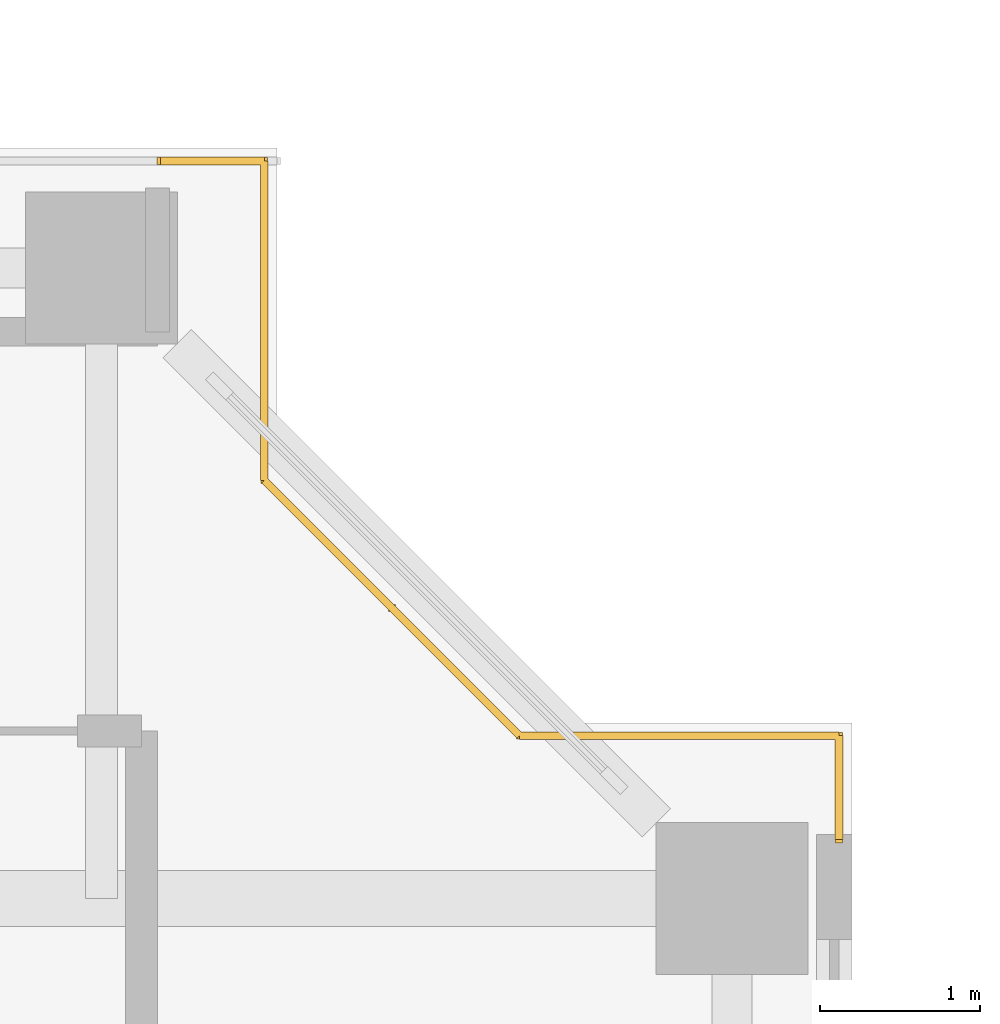
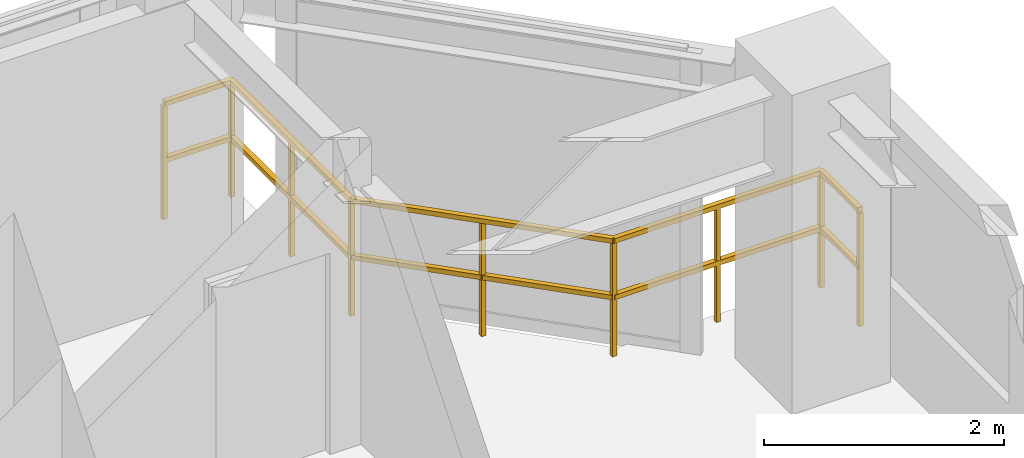
# One storey, part 24 of 24: 1 railing.
"""IFC4 building model written with IfcOpenShell, lengths in metres."""

from ifc_helpers import new_model, si_unit, direction, frame, origin, origin_2d, place, context, subcontext, project, spatial, rectangle, extrude, material, type_object, element, save


model = new_model("IFC4")

# Units and contexts
model_context = context("Model", 3, precision=1e-05, world=origin(), true_north=direction((0.0, 1.0)))
body_context = subcontext(model_context, "Body", "Model", "MODEL_VIEW")
ifc_project = project(units=[si_unit("LENGTHUNIT", "METRE"), si_unit("AREAUNIT", "SQUARE_METRE"), si_unit("VOLUMEUNIT", "CUBIC_METRE"), si_unit("PLANEANGLEUNIT", "RADIAN"), si_unit("MASSUNIT", "GRAM", prefix="KILO"), si_unit("THERMODYNAMICTEMPERATUREUNIT", "KELVIN"), si_unit("POWERUNIT", "WATT")], contexts=[model_context])

# Site, building, storey
site_placement = place(None, origin())
site = spatial("IfcSite", under=ifc_project, at=site_placement, CompositionType="ELEMENT")
building_placement = place(site_placement, origin())
building = spatial("IfcBuilding", under=site, at=building_placement, Name="Qiaomeng Ring Towers", CompositionType="ELEMENT")
storey_placement = place(building_placement, frame((0.0, 0.0, 36.0)))
storey = spatial("IfcBuildingStorey", under=building, at=storey_placement, Name="L09", CompositionType="ELEMENT", Elevation=36.0)

# Railing
ifc_material = material(Name="Low-E pale-green laminated safety glass", Category="glass")
railing_type = type_object("IfcRailingType", Name="ARC-RL-BAL1", PredefinedType="BALUSTRADE", material=ifc_material)
railing_placement = place(storey_placement, frame((73.919921875, 32.169921875, 0.0)))
element("IfcRailing", 1, at=railing_placement, inside=storey, type_object=railing_type, Name="L09 Balustrade ARC-BAL-NOTCH2-L09-NE", PredefinedType="BALUSTRADE", context=body_context, shape_type="SweptSolid", body=[
    extrude(rectangle(XDim=0.048095703125, YDim=0.048095703125, at=origin_2d()), frame((0.0, 0.0, 1.17578125), z_axis=(0.0, 1.0, 0.0), x_axis=(-1.0, 0.0, 0.0)), (0.0, 0.0, 1.0), 0.650146484375),
    extrude(rectangle(XDim=0.048095703125, YDim=0.048095703125, at=origin_2d()), frame((0.0, 0.0, 0.60009765625), z_axis=(0.0, 1.0, 0.0), x_axis=(-1.0, 0.0, 0.0)), (0.0, 0.0, 1.0), 0.650146484375),
    extrude(rectangle(XDim=0.048095703125, YDim=0.048095703125, at=origin_2d()), frame((0.0, 0.650146484375, 1.17578125), z_axis=(-1.0, 0.0, 0.0), x_axis=(0.0, -1.0, 0.0)), (0.0, 0.0, 1.0), 2.0),
    extrude(rectangle(XDim=0.048095703125, YDim=0.048095703125, at=origin_2d()), frame((0.0, 0.650146484375, 0.60009765625), z_axis=(-1.0, 0.0, 0.0), x_axis=(0.0, -1.0, 0.0)), (0.0, 0.0, 1.0), 2.0),
    extrude(rectangle(XDim=0.048095703125, YDim=0.048095703125, at=origin_2d()), frame((-2.0, 0.650146484375, 1.17578125), z_axis=(-0.707106781187, 0.707106781187, 0.0), x_axis=(-0.707106781187, -0.707106781187, 0.0)), (0.0, 0.0, 1.0), 2.262451171875),
    extrude(rectangle(XDim=0.048095703125, YDim=0.048095703125, at=origin_2d()), frame((-2.0, 0.650146484375, 0.60009765625), z_axis=(-0.707106781187, 0.707106781187, 0.0), x_axis=(-0.707106781187, -0.707106781187, 0.0)), (0.0, 0.0, 1.0), 2.262451171875),
    extrude(rectangle(XDim=0.048095703125, YDim=0.048095703125, at=origin_2d()), frame((-3.599853515625, 2.25, 1.17578125), z_axis=(0.0, 1.0, 0.0), x_axis=(-1.0, 0.0, 0.0)), (0.0, 0.0, 1.0), 2.0),
    extrude(rectangle(XDim=0.048095703125, YDim=0.048095703125, at=origin_2d()), frame((-3.599853515625, 2.25, 0.60009765625), z_axis=(0.0, 1.0, 0.0), x_axis=(-1.0, 0.0, 0.0)), (0.0, 0.0, 1.0), 2.0),
    extrude(rectangle(XDim=0.048095703125, YDim=0.048095703125, at=origin_2d()), frame((-3.599853515625, 4.25, 1.17578125), z_axis=(-1.0, 0.0, 0.0), x_axis=(0.0, -1.0, 0.0)), (0.0, 0.0, 1.0), 0.650146484375),
    extrude(rectangle(XDim=0.048095703125, YDim=0.048095703125, at=origin_2d()), frame((-3.599853515625, 4.25, 0.60009765625), z_axis=(-1.0, 0.0, 0.0), x_axis=(0.0, -1.0, 0.0)), (0.0, 0.0, 1.0), 0.650146484375),
    extrude(rectangle(XDim=0.0419921875, YDim=0.0419921875, at=origin_2d()), origin(), (0.0, 0.0, 1.0), 1.15185546875),
    extrude(rectangle(XDim=0.0419921875, YDim=0.0419921875, at=origin_2d()), frame((0.0, 0.650146484375, 0.0)), (0.0, 0.0, 1.0), 1.15185546875),
    extrude(rectangle(XDim=0.0419921875, YDim=0.0419921875, at=origin_2d()), frame((-1.0, 0.650146484375, 0.0)), (0.0, 0.0, 1.0), 1.15185546875),
    extrude(rectangle(XDim=0.0419921875, YDim=0.0419921875, at=origin_2d()), frame((-2.0, 0.650146484375, 0.0)), (0.0, 0.0, 1.0), 1.15185546875),
    extrude(rectangle(XDim=0.0419921875, YDim=0.0419921875, at=origin_2d()), frame((-2.7998046875, 1.4501953125, 0.0)), (0.0, 0.0, 1.0), 1.15185546875),
    extrude(rectangle(XDim=0.0419921875, YDim=0.0419921875, at=origin_2d()), frame((-3.599853515625, 2.25, 0.0)), (0.0, 0.0, 1.0), 1.15185546875),
    extrude(rectangle(XDim=0.0419921875, YDim=0.0419921875, at=origin_2d()), frame((-3.599853515625, 3.25, 0.0)), (0.0, 0.0, 1.0), 1.15185546875),
    extrude(rectangle(XDim=0.0419921875, YDim=0.0419921875, at=origin_2d()), frame((-3.599853515625, 4.25, 0.0)), (0.0, 0.0, 1.0), 1.15185546875),
    extrude(rectangle(XDim=0.0419921875, YDim=0.0419921875, at=origin_2d()), frame((-4.25, 4.25, 0.0)), (0.0, 0.0, 1.0), 1.15185546875),
])

save(model, "model.ifc")
